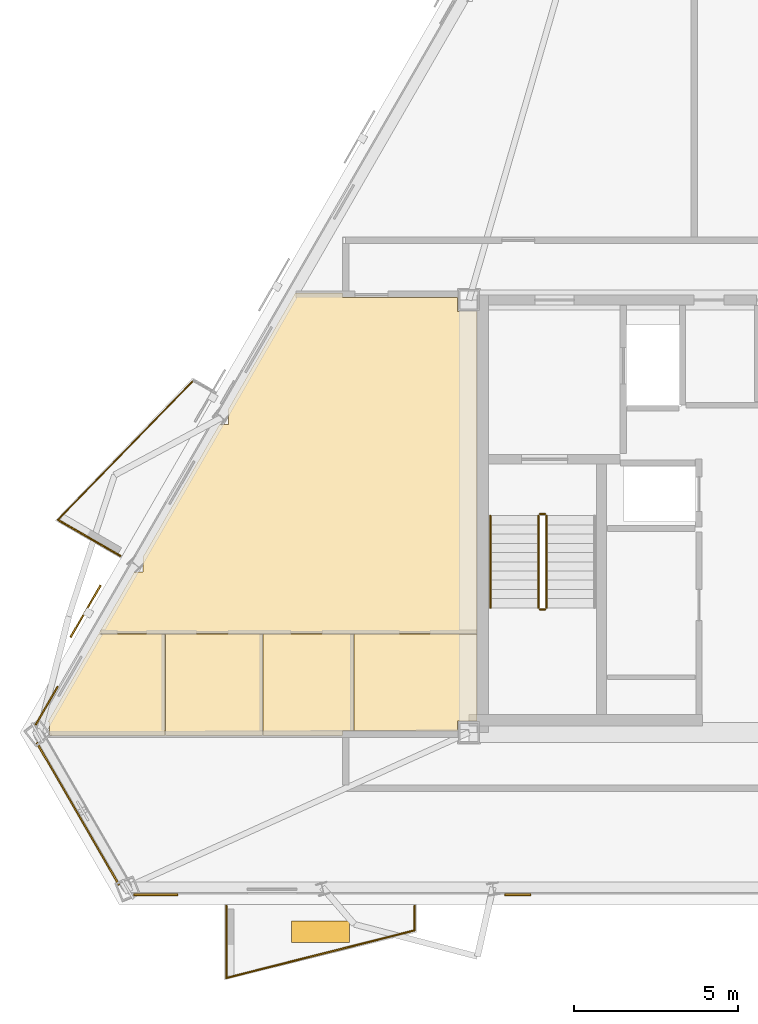
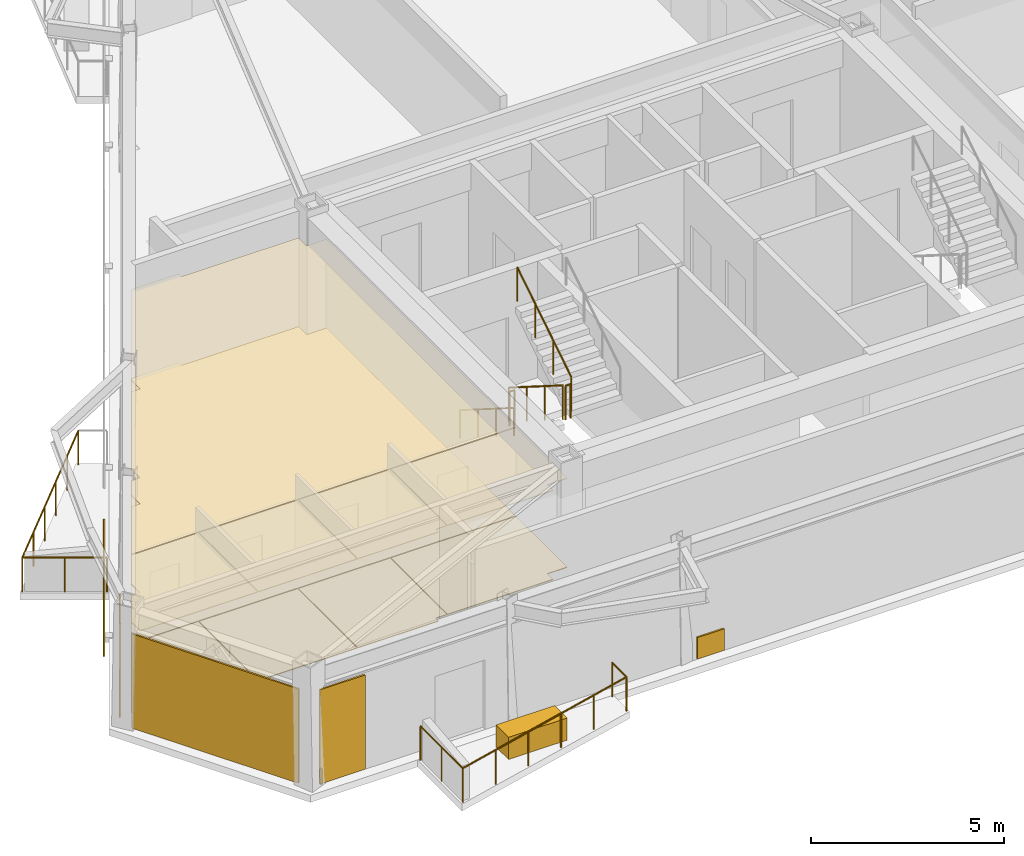
# One storey, part 6 of 9: 15 coverings, 10 railings, 1 shading device.
"""IFC4 building model written with IfcOpenShell, lengths in metres."""

from ifc_helpers import new_model, si_unit, direction, frame, origin, origin_2d, place, context, subcontext, project, spatial, polyline, rectangle, circle, outline, extrude, material, layer, layer_set, type_object, element, save


model = new_model("IFC4")

# Units and contexts
model_context = context("Model", 3, precision=1e-05, world=origin(), true_north=direction((0.0, 1.0)))
body_context = subcontext(model_context, "Body", "Model", "MODEL_VIEW")
ifc_project = project(units=[si_unit("LENGTHUNIT", "METRE"), si_unit("AREAUNIT", "SQUARE_METRE"), si_unit("VOLUMEUNIT", "CUBIC_METRE"), si_unit("PLANEANGLEUNIT", "RADIAN"), si_unit("MASSUNIT", "GRAM", prefix="KILO")], contexts=[model_context])

# Site, building, storey
site_placement = place(None, origin())
site = spatial("IfcSite", under=ifc_project, at=site_placement, CompositionType="ELEMENT")
building_placement = place(site_placement, origin())
building = spatial("IfcBuilding", under=site, at=building_placement, Name="Oramaril Tower", CompositionType="ELEMENT")
storey_placement = place(building_placement, frame((0.0, 0.0, 249.89990234375)))
storey = spatial("IfcBuildingStorey", under=building, at=storey_placement, Name="L66", CompositionType="ELEMENT", Elevation=249.89990234375)

# Coverings
ifc_material_1 = material(Name="Mineral Fibre Acoustic Ceiling")
ifc_layer_1 = layer(ifc_material_1, 0.02001953125)
ifc_layer_set_1 = layer_set([ifc_layer_1], Name="CVT-CEIL")
covering_type_1 = type_object("IfcCoveringType", Name="CVT-CEIL", PredefinedType="CEILING", material=ifc_layer_set_1)
covering_1_placement = place(storey_placement, frame((0.0, 0.0, 2.81201171875)))
element("IfcCovering", 1, at=covering_1_placement, inside=storey, type_object=covering_type_1, Name="L66 Acoustic Suspended Ceiling 4", PredefinedType="CEILING", context=body_context, shape_type="SweptSolid", body=[
    extrude(outline(polyline([(29.0048828125, 23.804931640625), (29.60009765625, 23.804931640625), (29.60009765625, 14.008056640625), (18.09228515625, 14.008056640625), (19.1689453125, 15.87255859375), (19.44140625, 15.87255859375), (19.44140625, 16.331298828125), (19.43359375, 16.331298828125), (21.76611328125, 20.37109375), (22.03857421875, 20.37109375), (22.03857421875, 20.823486328125), (22.02734375, 20.823486328125), (24.0703125, 24.362060546875), (25.5, 24.362060546875), (25.5, 24.239990234375), (25.5, 24.238037109375), (25.50048828125, 24.236083984375), (25.5009765625, 24.234130859375), (25.50146484375, 24.232421875), (25.50244140625, 24.230712890625), (25.50341796875, 24.22900390625), (25.50439453125, 24.227294921875), (25.505859375, 24.225830078125), (25.50732421875, 24.224609375), (25.5087890625, 24.223388671875), (25.510498046875, 24.222412109375), (25.51220703125, 24.221435546875), (25.51416015625, 24.220947265625), (25.51611328125, 24.220458984375), (25.51806640625, 24.22021484375), (25.52001953125, 24.219970703125), (29.0048828125, 24.219970703125), (29.0048828125, 23.804931640625)])), origin(), (0.0, 0.0, 1.0), 0.02001953125),
])
covering_2_placement = place(storey_placement, frame((0.0, 0.0, 2.81201171875)))
element("IfcCovering", 2, at=covering_2_placement, inside=storey, type_object=covering_type_1, Name="L66 Acoustic Suspended Ceiling 5", PredefinedType="CEILING", context=body_context, shape_type="SweptSolid", body=[
    extrude(outline(polyline([(16.586669921875, 10.907958984375), (16.586669921875, 11.310546875), (16.53759765625, 11.310546875), (18.08251953125, 13.99072265625), (18.0830078125, 13.990478515625), (18.084716796875, 13.989501953125), (18.08642578125, 13.989013671875), (18.08837890625, 13.98828125), (18.09033203125, 13.988037109375), (18.09228515625, 13.988037109375), (20.09716796875, 13.988037109375), (20.09716796875, 10.907958984375), (16.586669921875, 10.907958984375)])), origin(), (0.0, 0.0, 1.0), 0.02001953125),
])
covering_3_placement = place(storey_placement, frame((0.0, 0.0, 2.81201171875)))
element("IfcCovering", 3, at=covering_3_placement, inside=storey, type_object=covering_type_1, Name="L66 Acoustic Suspended Ceiling 6", PredefinedType="CEILING", context=body_context, shape_type="SweptSolid", body=[
    extrude(outline(polyline([(20.1171875, 10.907958984375), (20.1171875, 13.988037109375), (23.068115234375, 13.988037109375), (23.068115234375, 10.907958984375), (20.1171875, 10.907958984375)])), origin(), (0.0, 0.0, 1.0), 0.02001953125),
])
covering_4_placement = place(storey_placement, frame((0.0, 0.0, 2.81201171875)))
element("IfcCovering", 4, at=covering_4_placement, inside=storey, type_object=covering_type_1, Name="L66 Acoustic Suspended Ceiling 7", PredefinedType="CEILING", context=body_context, shape_type="SweptSolid", body=[
    extrude(outline(polyline([(23.088134765625, 10.907958984375), (23.088134765625, 13.988037109375), (25.83349609375, 13.988037109375), (25.83349609375, 11.050048828125), (25.52001953125, 11.050048828125), (25.51806640625, 11.0498046875), (25.51611328125, 11.049560546875), (25.51416015625, 11.049072265625), (25.51220703125, 11.048583984375), (25.510498046875, 11.047607421875), (25.5087890625, 11.046630859375), (25.50732421875, 11.04541015625), (25.505859375, 11.044189453125), (25.50439453125, 11.042724609375), (25.50341796875, 11.041015625), (25.50244140625, 11.039306640625), (25.50146484375, 11.03759765625), (25.5009765625, 11.035888671875), (25.50048828125, 11.033935546875), (25.5, 11.031982421875), (25.5, 11.030029296875), (25.5, 10.907958984375), (23.088134765625, 10.907958984375)])), origin(), (0.0, 0.0, 1.0), 0.02001953125),
])
covering_5_placement = place(storey_placement, frame((0.0, 0.0, 2.81201171875)))
element("IfcCovering", 5, at=covering_5_placement, inside=storey, type_object=covering_type_1, Name="L66 Acoustic Suspended Ceiling 8", PredefinedType="CEILING", context=body_context, shape_type="SweptSolid", body=[
    extrude(outline(polyline([(29.60009765625, 11.344970703125), (29.0048828125, 11.344970703125), (29.0048828125, 11.050048828125), (25.853515625, 11.050048828125), (25.853515625, 13.988037109375), (29.60009765625, 13.988037109375), (29.60009765625, 11.344970703125)])), origin(), (0.0, 0.0, 1.0), 0.02001953125),
])
ifc_material_2 = material(Name="Warm Cream Limestone", Category="masonry")
ifc_layer_2 = layer(ifc_material_2, 0.050048828125)
ifc_layer_set_2 = layer_set([ifc_layer_2], Name="CVT-CLD")
covering_type_2 = type_object("IfcCoveringType", Name="CVT-CLD", PredefinedType="CLADDING", material=ifc_layer_set_2)
covering_6_placement = place(storey_placement, frame((17.4541015625, 8.526611328125, 0.0400390625), z_axis=(0.0, 0.0, 1.0), x_axis=(0.500001511499, -0.866024531118, 0.0)))
element("IfcCovering", 6, at=covering_6_placement, inside=storey, type_object=covering_type_2, Name="L66 Warm Cream Limestone Cladding", PredefinedType="CLADDING", context=body_context, shape_type="SweptSolid", body=[
    extrude(rectangle(XDim=4.996337890625, YDim=0.050048828125, at=origin_2d()), origin(), (0.0, 0.0, 1.0), 2.97802734375),
])
covering_7_placement = place(storey_placement, frame((19.82373046875, 6.0625, 0.0400390625), z_axis=(0.0, 0.0, 1.0), x_axis=(1.0, 0.0, 0.0)))
element("IfcCovering", 7, at=covering_7_placement, inside=storey, type_object=covering_type_2, Name="L66 Warm Cream Limestone Cladding", PredefinedType="CLADDING", context=body_context, shape_type="SweptSolid", body=[
    extrude(rectangle(XDim=1.35009765625, YDim=0.050048828125, at=origin_2d()), origin(), (0.0, 0.0, 1.0), 2.97802734375),
])
covering_8_placement = place(storey_placement, frame((30.83056640625, 6.0625, 0.0400390625), z_axis=(0.0, 0.0, 1.0), x_axis=(1.0, 0.0, 0.0)))
element("IfcCovering", 8, at=covering_8_placement, inside=storey, type_object=covering_type_2, Name="L66 Warm Cream Limestone Spandrel Cladding", PredefinedType="CLADDING", context=body_context, shape_type="SweptSolid", body=[
    extrude(rectangle(XDim=0.800048828125, YDim=0.050048828125, at=origin_2d()), origin(), (0.0, 0.0, 1.0), 0.679931640625),
])
covering_9_placement = place(storey_placement, frame((16.505126953125, 11.810546875, 0.0400390625), z_axis=(0.0, 0.0, 1.0), x_axis=(-0.4999984885, -0.866026276448, 0.0)))
element("IfcCovering", 9, at=covering_9_placement, inside=storey, type_object=covering_type_2, Name="L66 Warm Cream Limestone Cladding", PredefinedType="CLADDING", context=body_context, shape_type="SweptSolid", body=[
    extrude(rectangle(XDim=1.35009765625, YDim=0.050048828125, at=origin_2d()), origin(), (0.0, 0.0, 1.0), 2.97802734375),
])
covering_10_placement = place(storey_placement, frame((24.833251953125, 4.93408203125, 0.0), z_axis=(0.0, 0.0, 1.0), x_axis=(1.0, 0.0, 0.0)))
element("IfcCovering", 10, at=covering_10_placement, inside=storey, type_object=covering_type_2, Name="L66 Structural Tree Planter Box L66-BAL-S1", PredefinedType="CLADDING", context=body_context, shape_type="SweptSolid", body=[
    extrude(rectangle(XDim=1.75, YDim=0.64990234375, at=origin_2d()), origin(), (0.0, 0.0, 1.0), 0.699951171875),
])
ifc_material_3 = material(Name="Honed Quartzite Stone Flooring", Category="masonry")
ifc_layer_3 = layer(ifc_material_3, 0.02490234375)
ifc_layer_set_3 = layer_set([ifc_layer_3], Name="CVT-FLR")
covering_type_3 = type_object("IfcCoveringType", Name="CVT-FLR", PredefinedType="FLOORING", material=ifc_layer_set_3)
covering_11_placement = place(storey_placement, origin())
element("IfcCovering", 11, at=covering_11_placement, inside=storey, type_object=covering_type_3, Name="L66 Honed Stone Floor Finish 4", PredefinedType="FLOORING", context=body_context, shape_type="SweptSolid", body=[
    extrude(outline(polyline([(29.0048828125, 23.804931640625), (29.60009765625, 23.804931640625), (29.60009765625, 14.008056640625), (18.09228515625, 14.008056640625), (19.1689453125, 15.87255859375), (19.44140625, 15.87255859375), (19.44140625, 16.331298828125), (19.43359375, 16.331298828125), (21.76611328125, 20.37109375), (22.03857421875, 20.37109375), (22.03857421875, 20.823486328125), (22.02734375, 20.823486328125), (24.0703125, 24.362060546875), (25.5, 24.362060546875), (25.5, 24.239990234375), (25.5, 24.238037109375), (25.50048828125, 24.236083984375), (25.5009765625, 24.234130859375), (25.50146484375, 24.232421875), (25.50244140625, 24.230712890625), (25.50341796875, 24.22900390625), (25.50439453125, 24.227294921875), (25.505859375, 24.225830078125), (25.50732421875, 24.224609375), (25.5087890625, 24.223388671875), (25.510498046875, 24.222412109375), (25.51220703125, 24.221435546875), (25.51416015625, 24.220947265625), (25.51611328125, 24.220458984375), (25.51806640625, 24.22021484375), (25.52001953125, 24.219970703125), (29.0048828125, 24.219970703125), (29.0048828125, 23.804931640625)])), origin(), (0.0, 0.0, 1.0), 0.025146484375),
])
covering_12_placement = place(storey_placement, origin())
element("IfcCovering", 12, at=covering_12_placement, inside=storey, type_object=covering_type_3, Name="L66 Honed Stone Floor Finish 5", PredefinedType="FLOORING", context=body_context, shape_type="SweptSolid", body=[
    extrude(outline(polyline([(16.586669921875, 10.907958984375), (16.586669921875, 11.310546875), (16.53759765625, 11.310546875), (18.08251953125, 13.99072265625), (18.0830078125, 13.990478515625), (18.084716796875, 13.989501953125), (18.08642578125, 13.989013671875), (18.08837890625, 13.98828125), (18.09033203125, 13.988037109375), (18.09228515625, 13.988037109375), (20.09716796875, 13.988037109375), (20.09716796875, 10.907958984375), (16.586669921875, 10.907958984375)])), origin(), (0.0, 0.0, 1.0), 0.025146484375),
])
covering_13_placement = place(storey_placement, origin())
element("IfcCovering", 13, at=covering_13_placement, inside=storey, type_object=covering_type_3, Name="L66 Honed Stone Floor Finish 6", PredefinedType="FLOORING", context=body_context, shape_type="SweptSolid", body=[
    extrude(outline(polyline([(20.1171875, 10.907958984375), (20.1171875, 13.988037109375), (23.068115234375, 13.988037109375), (23.068115234375, 10.907958984375), (20.1171875, 10.907958984375)])), origin(), (0.0, 0.0, 1.0), 0.025146484375),
])
covering_14_placement = place(storey_placement, origin())
element("IfcCovering", 14, at=covering_14_placement, inside=storey, type_object=covering_type_3, Name="L66 Honed Stone Floor Finish 7", PredefinedType="FLOORING", context=body_context, shape_type="SweptSolid", body=[
    extrude(outline(polyline([(23.088134765625, 10.907958984375), (23.088134765625, 13.988037109375), (25.83349609375, 13.988037109375), (25.83349609375, 11.050048828125), (25.52001953125, 11.050048828125), (25.51806640625, 11.0498046875), (25.51611328125, 11.049560546875), (25.51416015625, 11.049072265625), (25.51220703125, 11.048583984375), (25.510498046875, 11.047607421875), (25.5087890625, 11.046630859375), (25.50732421875, 11.04541015625), (25.505859375, 11.044189453125), (25.50439453125, 11.042724609375), (25.50341796875, 11.041015625), (25.50244140625, 11.039306640625), (25.50146484375, 11.03759765625), (25.5009765625, 11.035888671875), (25.50048828125, 11.033935546875), (25.5, 11.031982421875), (25.5, 11.030029296875), (25.5, 10.907958984375), (23.088134765625, 10.907958984375)])), origin(), (0.0, 0.0, 1.0), 0.025146484375),
])
covering_15_placement = place(storey_placement, origin())
element("IfcCovering", 15, at=covering_15_placement, inside=storey, type_object=covering_type_3, Name="L66 Honed Stone Floor Finish 8", PredefinedType="FLOORING", context=body_context, shape_type="SweptSolid", body=[
    extrude(outline(polyline([(29.60009765625, 11.344970703125), (29.0048828125, 11.344970703125), (29.0048828125, 11.050048828125), (25.853515625, 11.050048828125), (25.853515625, 13.988037109375), (29.60009765625, 13.988037109375), (29.60009765625, 11.344970703125)])), origin(), (0.0, 0.0, 1.0), 0.025146484375),
])

# Railings
ifc_material_4 = material(Name="Stainless Steel 316L", Category="steel")
railing_type_1 = type_object("IfcRailingType", Name="RLT-GRD", PredefinedType="GUARDRAIL", material=ifc_material_4)
railing_1_placement = place(storey_placement, frame((27.6982421875, 5.722412109375, 0.0)))
element("IfcRailing", 16, at=railing_1_placement, inside=storey, type_object=railing_type_1, Name="L66 Balcony Guardrail L66-BAL-S1.1", PredefinedType="GUARDRAIL", context=body_context, shape_type="SweptSolid", body=[
    extrude(circle(Radius=0.02392578125, at=origin_2d()), frame((0.0, 0.0, 1.076171875), z_axis=(0.0, -1.0, 0.0), x_axis=(1.0, 0.0, 0.0)), (0.0, 0.0, 1.0), 0.741943359375),
    extrude(circle(Radius=0.02099609375, at=origin_2d()), origin(), (0.0, 0.0, 1.0), 1.052001953125),
    extrude(circle(Radius=0.02099609375, at=origin_2d()), frame((0.0, -0.741943359375, 0.0)), (0.0, 0.0, 1.0), 1.052001953125),
])
railing_2_placement = place(storey_placement, frame((27.6982421875, 4.98046875, 0.0)))
element("IfcRailing", 17, at=railing_2_placement, inside=storey, type_object=railing_type_1, Name="L66 Balcony Guardrail L66-BAL-S1.2", PredefinedType="GUARDRAIL", context=body_context, shape_type="SweptSolid", body=[
    extrude(circle(Radius=0.02392578125, at=origin_2d()), frame((0.0, 0.0, 1.076171875), z_axis=(-0.969443611257, -0.245314256807, 0.0), x_axis=(0.245314256807, -0.969443611257, 0.0)), (0.0, 0.0, 1.0), 5.91064453125),
    extrude(circle(Radius=0.02099609375, at=origin_2d()), origin(), (0.0, 0.0, 1.0), 1.052001953125),
    extrude(circle(Radius=0.02099609375, at=origin_2d()), frame((-1.14599609375, -0.2900390625, 0.0)), (0.0, 0.0, 1.0), 1.052001953125),
    extrude(circle(Radius=0.02099609375, at=origin_2d()), frame((-2.2919921875, -0.580078125, 0.0)), (0.0, 0.0, 1.0), 1.052001953125),
    extrude(circle(Radius=0.02099609375, at=origin_2d()), frame((-3.43798828125, -0.869873046875, 0.0)), (0.0, 0.0, 1.0), 1.052001953125),
    extrude(circle(Radius=0.02099609375, at=origin_2d()), frame((-4.583984375, -1.159912109375, 0.0)), (0.0, 0.0, 1.0), 1.052001953125),
    extrude(circle(Radius=0.02099609375, at=origin_2d()), frame((-5.72998046875, -1.449951171875, 0.0)), (0.0, 0.0, 1.0), 1.052001953125),
])
railing_3_placement = place(storey_placement, frame((21.96826171875, 3.530517578125, 0.0)))
element("IfcRailing", 18, at=railing_3_placement, inside=storey, type_object=railing_type_1, Name="L66 Balcony Guardrail L66-BAL-S1.3", PredefinedType="GUARDRAIL", context=body_context, shape_type="SweptSolid", body=[
    extrude(circle(Radius=0.02392578125, at=origin_2d()), frame((0.0, 0.0, 1.076171875), z_axis=(0.0, 1.0, 0.0), x_axis=(-1.0, 0.0, 0.0)), (0.0, 0.0, 1.0), 2.19189453125),
    extrude(circle(Radius=0.02099609375, at=origin_2d()), origin(), (0.0, 0.0, 1.0), 1.052001953125),
    extrude(circle(Radius=0.02099609375, at=origin_2d()), frame((0.0, 1.095947265625, 0.0)), (0.0, 0.0, 1.0), 1.052001953125),
    extrude(circle(Radius=0.02099609375, at=origin_2d()), frame((0.0, 2.19189453125, 0.0)), (0.0, 0.0, 1.0), 1.052001953125),
])
railing_4_placement = place(storey_placement, frame((18.745361328125, 16.370849609375, 0.0)))
element("IfcRailing", 19, at=railing_4_placement, inside=storey, type_object=railing_type_1, Name="L66 Balcony Guardrail L66-BAL-NW2.1", PredefinedType="GUARDRAIL", context=body_context, shape_type="SweptSolid", body=[
    extrude(circle(Radius=0.02392578125, at=origin_2d()), frame((0.0, 0.0, 1.076171875), z_axis=(-0.866048343933, 0.499960264392, 0.0), x_axis=(-0.499960264392, -0.866048343933, 0.0)), (0.0, 0.0, 1.0), 2.192138671875),
    extrude(circle(Radius=0.02099609375, at=origin_2d()), origin(), (0.0, 0.0, 1.0), 1.052001953125),
    extrude(circle(Radius=0.02099609375, at=origin_2d()), frame((-0.94921875, 0.5478515625, 0.0)), (0.0, 0.0, 1.0), 1.052001953125),
    extrude(circle(Radius=0.02099609375, at=origin_2d()), frame((-1.8984375, 1.095947265625, 0.0)), (0.0, 0.0, 1.0), 1.052001953125),
])
railing_5_placement = place(storey_placement, frame((16.846923828125, 17.466796875, 0.0)))
element("IfcRailing", 20, at=railing_5_placement, inside=storey, type_object=railing_type_1, Name="L66 Balcony Guardrail L66-BAL-NW2.2", PredefinedType="GUARDRAIL", context=body_context, shape_type="SweptSolid", body=[
    extrude(circle(Radius=0.02392578125, at=origin_2d()), frame((0.0, 0.0, 1.076171875), z_axis=(0.697186915353, 0.716889395277, 0.0), x_axis=(-0.716889395277, 0.697186915353, 0.0)), (0.0, 0.0, 1.0), 5.91064453125),
    extrude(circle(Radius=0.02099609375, at=origin_2d()), origin(), (0.0, 0.0, 1.0), 1.052001953125),
    extrude(circle(Radius=0.02099609375, at=origin_2d()), frame((0.82421875, 0.847412109375, 0.0)), (0.0, 0.0, 1.0), 1.052001953125),
    extrude(circle(Radius=0.02099609375, at=origin_2d()), frame((1.6484375, 1.69482421875, 0.0)), (0.0, 0.0, 1.0), 1.052001953125),
    extrude(circle(Radius=0.02099609375, at=origin_2d()), frame((2.472412109375, 2.54248046875, 0.0)), (0.0, 0.0, 1.0), 1.052001953125),
    extrude(circle(Radius=0.02099609375, at=origin_2d()), frame((3.296630859375, 3.389892578125, 0.0)), (0.0, 0.0, 1.0), 1.052001953125),
    extrude(circle(Radius=0.02099609375, at=origin_2d()), frame((4.120849609375, 4.2373046875, 0.0)), (0.0, 0.0, 1.0), 1.052001953125),
])
railing_6_placement = place(storey_placement, frame((31.4599609375, 17.590087890625, 0.177490234375)))
element("IfcRailing", 21, at=railing_6_placement, inside=storey, type_object=railing_type_1, Name="L66 ST-1 stair guard 1", PredefinedType="GUARDRAIL", context=body_context, shape_type="SweptSolid", body=[
    extrude(circle(Radius=0.02392578125, at=origin_2d()), frame((0.0, 0.0, 1.076171875), z_axis=(0.0, -0.844908973607, 0.534910110503), x_axis=(1.0, 0.0, 0.0)), (0.0, 0.0, 1.0), 3.31396484375),
    extrude(circle(Radius=0.02099609375, at=origin_2d()), origin(), (0.0, 0.0, 1.0), 1.052001953125),
    extrude(circle(Radius=0.02099609375, at=origin_2d()), frame((0.0, -0.933349609375, 0.5908203125)), (0.0, 0.0, 1.0), 1.052001953125),
    extrude(circle(Radius=0.02099609375, at=origin_2d()), frame((0.0, -1.86669921875, 1.181884765625)), (0.0, 0.0, 1.0), 1.052001953125),
    extrude(circle(Radius=0.02099609375, at=origin_2d()), frame((0.0, -2.800048828125, 1.772705078125)), (0.0, 0.0, 1.0), 1.052001953125),
])
railing_7_placement = place(storey_placement, frame((31.510009765625, 14.739990234375, 1.9501953125)))
element("IfcRailing", 22, at=railing_7_placement, inside=storey, type_object=railing_type_1, Name="L66 ST-1 stair guard 2", PredefinedType="GUARDRAIL", context=body_context, shape_type="SweptSolid", body=[
    extrude(circle(Radius=0.02392578125, at=origin_2d()), frame((0.0, 0.0, 1.076171875), z_axis=(1.0, 0.0, 0.0), x_axis=(0.0, 1.0, 0.0)), (0.0, 0.0, 1.0), 0.14990234375),
    extrude(circle(Radius=0.02099609375, at=origin_2d()), origin(), (0.0, 0.0, 1.0), 1.052001953125),
    extrude(circle(Radius=0.02099609375, at=origin_2d()), frame((0.14990234375, 0.0, 0.0)), (0.0, 0.0, 1.0), 1.052001953125),
])
railing_8_placement = place(storey_placement, frame((31.7099609375, 14.7900390625, 2.12744140625)))
element("IfcRailing", 23, at=railing_8_placement, inside=storey, type_object=railing_type_1, Name="L66 ST-1 stair guard 3", PredefinedType="GUARDRAIL", context=body_context, shape_type="SweptSolid", body=[
    extrude(circle(Radius=0.02392578125, at=origin_2d()), frame((0.0, 0.0, 1.076171875), z_axis=(0.0, 0.844908973607, 0.534910110503), x_axis=(-1.0, 0.0, 0.0)), (0.0, 0.0, 1.0), 3.31396484375),
    extrude(circle(Radius=0.02099609375, at=origin_2d()), origin(), (0.0, 0.0, 1.0), 1.052001953125),
    extrude(circle(Radius=0.02099609375, at=origin_2d()), frame((0.0, 0.933349609375, 0.5908203125)), (0.0, 0.0, 1.0), 1.052001953125),
    extrude(circle(Radius=0.02099609375, at=origin_2d()), frame((0.0, 1.86669921875, 1.181884765625)), (0.0, 0.0, 1.0), 1.052001953125),
    extrude(circle(Radius=0.02099609375, at=origin_2d()), frame((0.0, 2.800048828125, 1.772705078125)), (0.0, 0.0, 1.0), 1.052001953125),
])
railing_9_placement = place(storey_placement, frame((31.510009765625, 17.639892578125, 0.0)))
element("IfcRailing", 24, at=railing_9_placement, inside=storey, type_object=railing_type_1, Name="L66 ST-1 stair guard 4", PredefinedType="GUARDRAIL", context=body_context, shape_type="SweptSolid", body=[
    extrude(circle(Radius=0.02392578125, at=origin_2d()), frame((0.0, 0.0, 1.076171875), z_axis=(1.0, 0.0, 0.0), x_axis=(0.0, 1.0, 0.0)), (0.0, 0.0, 1.0), 0.14990234375),
    extrude(circle(Radius=0.02099609375, at=origin_2d()), origin(), (0.0, 0.0, 1.0), 1.052001953125),
    extrude(circle(Radius=0.02099609375, at=origin_2d()), frame((0.14990234375, 0.0, 0.0)), (0.0, 0.0, 1.0), 1.052001953125),
])
ifc_material_5 = material(Name="Stainless Steel 316L", Category="steel")
railing_type_2 = type_object("IfcRailingType", Name="RLT-HND", PredefinedType="HANDRAIL", material=ifc_material_5)
railing_10_placement = place(storey_placement, frame((30.0, 17.590087890625, 0.177490234375)))
element("IfcRailing", 25, at=railing_10_placement, inside=storey, type_object=railing_type_2, Name="L66 ST-1 stair handrail 1", PredefinedType="HANDRAIL", context=body_context, shape_type="SweptSolid", body=[
    extrude(circle(Radius=0.02392578125, at=origin_2d()), frame((0.0, 0.0, 0.8759765625), z_axis=(0.0, -0.844908973607, 0.534910110503), x_axis=(1.0, 0.0, 0.0)), (0.0, 0.0, 1.0), 3.31396484375),
    extrude(circle(Radius=0.02099609375, at=origin_2d()), origin(), (0.0, 0.0, 1.0), 0.851806640625),
    extrude(circle(Radius=0.02099609375, at=origin_2d()), frame((0.0, -0.933349609375, 0.5908203125)), (0.0, 0.0, 1.0), 0.851806640625),
    extrude(circle(Radius=0.02099609375, at=origin_2d()), frame((0.0, -1.86669921875, 1.181884765625)), (0.0, 0.0, 1.0), 0.851806640625),
    extrude(circle(Radius=0.02099609375, at=origin_2d()), frame((0.0, -2.800048828125, 1.772705078125)), (0.0, 0.0, 1.0), 0.851806640625),
])

# Shading device
shading_device_placement = place(storey_placement, frame((17.68896484375, 14.68505859375, -0.02001953125), z_axis=(0.0, 0.0, 1.0), x_axis=(-0.4999984885, -0.866026276448, 0.0)))
element("IfcShadingDevice", 26, at=shading_device_placement, inside=storey, Name="L66 Perforated Ceramic Solar Screen", ObjectType="SCREEN", PredefinedType="USERDEFINED", context=body_context, shape_type="SweptSolid", body=[
    extrude(rectangle(XDim=1.8330078125, YDim=0.050048828125, at=origin_2d()), origin(), (0.0, 0.0, 1.0), 3.05810546875),
])

save(model, "model.ifc")
